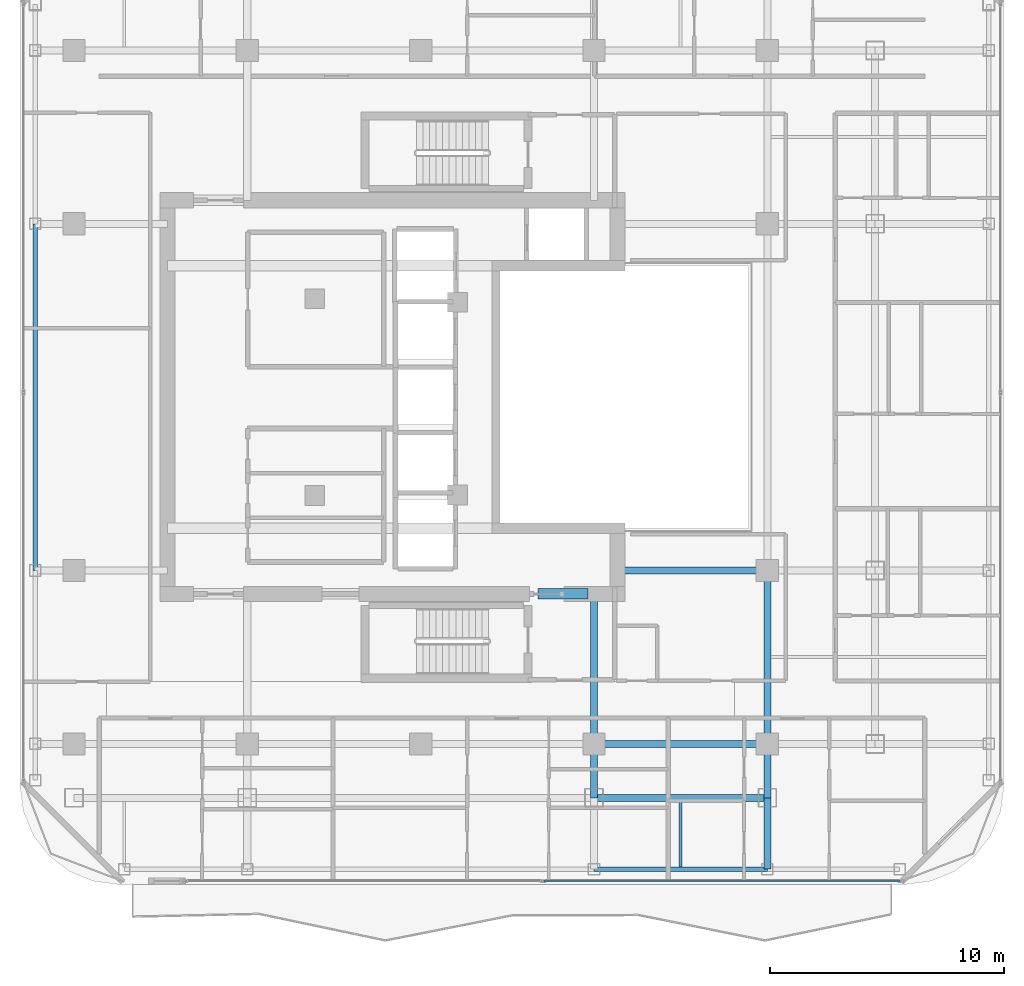
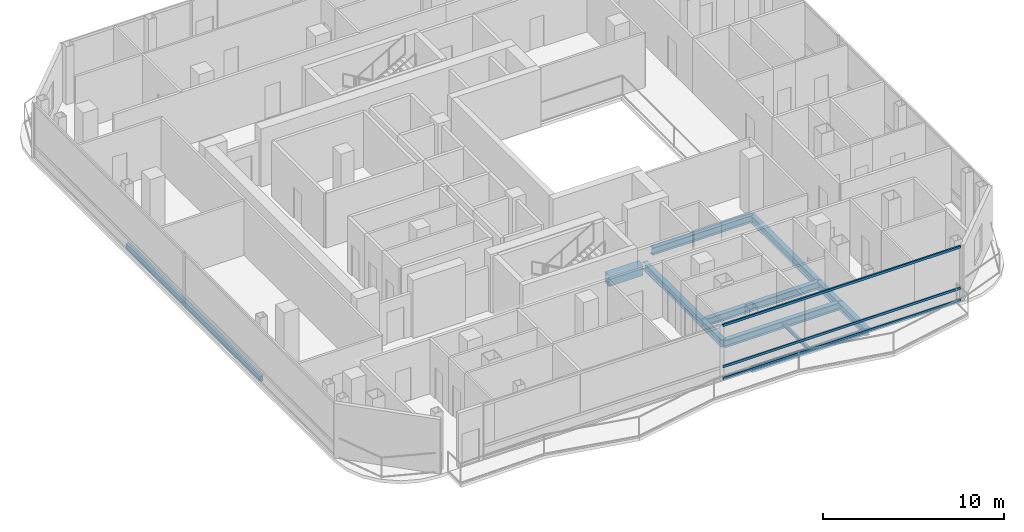
# One storey, part 5 of 24: 12 beams, 3 members, 1 element without a shape of its own.
"""IFC4 building model written with IfcOpenShell, lengths in metres."""

import ifcopenshell
import ifcopenshell.guid

model = None  # the IFC model being written
_history = None  # IfcOwnerHistory: only IFC2X3 demands one
_inside = {}  # id of a spatial element -> (the spatial element, [elements in it])
_under = {}  # id of a project, library or spatial element -> (it, [spatial elements below it])
_declared = {}  # id of a project -> (the project, [libraries it declares])
_typed = {}  # id of a type object -> (the type object, [elements of that type])
_made_of = {}  # id of a material, layer set ... -> (it, [elements and type objects made of it])


def new_model(schema):
    """Start an empty IFC model of exactly this schema.

    Asked for "IFC4X3", IfcOpenShell would pick the latest addendum, in which some entities
    have other attributes; the version numbers below select the first issue.
    IFC2X3 requires an IfcOwnerHistory on every rooted entity: one is made here for all.
    """
    global model, _history
    if schema == "IFC4X3":
        model = ifcopenshell.file(schema_version=(4, 3, 0, 0))
    else:
        model = ifcopenshell.file(schema=schema)
    _inside.clear()
    _under.clear()
    _declared.clear()
    _typed.clear()
    _made_of.clear()
    _history = None
    if model.schema == "IFC2X3":
        org = make("IfcOrganization", Name="unknown")
        user = make(
            "IfcPersonAndOrganization",
            ThePerson=make("IfcPerson", FamilyName="unknown"),
            TheOrganization=org,
        )
        app = make(
            "IfcApplication",
            ApplicationDeveloper=org,
            Version="unknown",
            ApplicationFullName="unknown",
            ApplicationIdentifier="unknown",
        )
        _history = make(
            "IfcOwnerHistory",
            OwningUser=user,
            OwningApplication=app,
            ChangeAction="ADDED",
            CreationDate=0,
        )
    return model


def make(cls, **values):
    """One entity of the class cls with the attributes given. An attribute that is None is left unset."""
    return model.create_entity(
        cls, **{name: value for name, value in values.items() if value is not None}
    )


def rooted(cls, **values):
    """An entity with a GlobalId (a new one), such as an element, a storey or a relation."""
    return make(cls, GlobalId=ifcopenshell.guid.new(), OwnerHistory=_history, **values)


def si_unit(unit_type, name, prefix=None):
    """IfcSIUnit, for example si_unit("LENGTHUNIT", "METRE", prefix="MILLI")."""
    return make("IfcSIUnit", UnitType=unit_type, Prefix=prefix, Name=name)


def assignment(units):
    """IfcUnitAssignment: the units of a project."""
    return None if units is None else make("IfcUnitAssignment", Units=units)


def point(xyz):
    """IfcCartesianPoint."""
    return None if xyz is None else make("IfcCartesianPoint", Coordinates=xyz)


def direction(xyz):
    """IfcDirection."""
    return None if xyz is None else make("IfcDirection", DirectionRatios=xyz)


def frame(location, z_axis=None, x_axis=None):
    """IfcAxis2Placement3D, a coordinate frame: its origin and axes. An axis left out is left unset."""
    return make(
        "IfcAxis2Placement3D",
        Location=point(location),
        Axis=direction(z_axis),
        RefDirection=direction(x_axis),
    )


def frame_2d(location, x_axis=None):
    """IfcAxis2Placement2D, a coordinate frame in the plane: its origin and x axis."""
    return make(
        "IfcAxis2Placement2D", Location=point(location), RefDirection=direction(x_axis)
    )


def origin():
    """The frame at (0, 0, 0) with its axes left unset."""
    return frame((0.0, 0.0, 0.0))


def origin_2d():
    """The frame at (0, 0) in the plane with its x axis left unset."""
    return frame_2d((0.0, 0.0))


def place(relative_to, where):
    """IfcLocalPlacement: puts the frame where relative to a parent placement (None: the world)."""
    return make(
        "IfcLocalPlacement", PlacementRelTo=relative_to, RelativePlacement=where
    )


def context(
    kind, dimensions, precision=None, world=None, true_north=None, identifier=None
):
    """IfcGeometricRepresentationContext, for example the 3D "Model" context."""
    return make(
        "IfcGeometricRepresentationContext",
        ContextIdentifier=identifier,
        ContextType=kind,
        CoordinateSpaceDimension=dimensions,
        Precision=precision,
        WorldCoordinateSystem=world,
        TrueNorth=true_north,
    )


def subcontext(parent, identifier, kind, view, scale=None):
    """IfcGeometricRepresentationSubContext, for example "Body" below "Model"."""
    return make(
        "IfcGeometricRepresentationSubContext",
        ContextIdentifier=identifier,
        ContextType=kind,
        ParentContext=parent,
        TargetScale=scale,
        TargetView=view,
    )


def project(units=None, contexts=None):
    """IfcProject with its units and contexts."""
    return rooted(
        "IfcProject",
        Name="project",
        RepresentationContexts=contexts,
        UnitsInContext=assignment(units),
    )


def spatial(cls, under=None, at=None, **own):
    """A site, building, storey or space (cls), placed at a placement, below another one or the project."""
    s = rooted(cls, ObjectPlacement=at, **own)
    if under is not None:
        _under.setdefault(under.id(), (under, []))[1].append(s)
    return s


def profile(cls, at=None, kind="AREA", **sizes):
    """A parametric profile (cls). Its sizes go by their IFC names, for example OverallWidth=200.0."""
    return make(cls, ProfileType=kind, Position=at, **sizes)


def rectangle(**sizes):
    """IfcRectangleProfileDef."""
    return profile("IfcRectangleProfileDef", **sizes)


def hollow_rectangle(**sizes):
    """IfcRectangleHollowProfileDef."""
    return profile("IfcRectangleHollowProfileDef", **sizes)


def i_section(**sizes):
    """IfcIShapeProfileDef."""
    return profile("IfcIShapeProfileDef", **sizes)


def extrude(swept, where, along, depth):
    """IfcExtrudedAreaSolid: the profile swept, set in the frame where, extruded along a direction by depth."""
    return make(
        "IfcExtrudedAreaSolid",
        SweptArea=swept,
        Position=where,
        ExtrudedDirection=direction(along),
        Depth=depth,
    )


def shape(context_of_items, identifier, shape_type, items):
    """IfcShapeRepresentation: the items that make up one representation, for example the "Body"."""
    return make(
        "IfcShapeRepresentation",
        ContextOfItems=context_of_items,
        RepresentationIdentifier=identifier,
        RepresentationType=shape_type,
        Items=items,
    )


def material(Name=None, Category=None):
    """IfcMaterial."""
    return make("IfcMaterial", Name=Name, Category=Category)


def layer(
    of_material, thickness, ventilated=None, Name=None, Category=None, Priority=None
):
    """IfcMaterialLayer: one layer of a wall or slab, of a material (None: an air gap)."""
    return make(
        "IfcMaterialLayer",
        Material=of_material,
        LayerThickness=thickness,
        IsVentilated=ventilated,
        Name=Name,
        Category=Category,
        Priority=Priority,
    )


def layer_set(layers, Name=None):
    """IfcMaterialLayerSet."""
    return make("IfcMaterialLayerSet", MaterialLayers=layers, LayerSetName=Name)


def material_profile(
    of_material, cross_section, Name=None, Category=None, Priority=None
):
    """IfcMaterialProfile: a cross section and its material."""
    return make(
        "IfcMaterialProfile",
        Name=Name,
        Material=of_material,
        Profile=cross_section,
        Priority=Priority,
        Category=Category,
    )


def profile_set(profiles, Name=None, composite=None):
    """IfcMaterialProfileSet."""
    return make(
        "IfcMaterialProfileSet",
        Name=Name,
        MaterialProfiles=profiles,
        CompositeProfile=composite,
    )


def made_of(thing, what):
    """Note that an element or type object is made of a material, layer set ...; save() writes the relation."""
    if what is not None:
        _made_of.setdefault(what.id(), (what, []))[1].append(thing)
    return thing


def type_object(cls, material=None, **own):
    """A type object (cls), such as IfcWallType, which elements share."""
    return made_of(rooted(cls, **own), material)


def element(
    cls,
    number,
    at=None,
    inside=None,
    cuts=None,
    type_object=None,
    material=None,
    context=None,
    identifier="Body",
    shape_type=None,
    held_by="IfcProductDefinitionShape",
    body=None,
    shapes=None,
    **own,
):
    """One element of the class cls, such as IfcWall. Its Tag is "e" and its number.

    at: its placement. inside: the storey or other place that contains it. cuts: it is an
    opening in that element (IfcRelVoidsElement). A single representation is given by context,
    identifier, shape_type and body (its items); several are given by shapes. held_by: the class
    of the entity that holds the representations. save() writes the other relations.
    """
    e = rooted(cls, Tag="e%d" % number, ObjectPlacement=at, **own)
    if body is not None:
        shapes = [shape(context, identifier, shape_type, body)]
    if shapes is not None:
        e.Representation = make(held_by, Representations=shapes)
    if inside is not None:
        _inside.setdefault(inside.id(), (inside, []))[1].append(e)
    if cuts is not None:
        rooted(
            "IfcRelVoidsElement", RelatingBuildingElement=cuts, RelatedOpeningElement=e
        )
    if type_object is not None:
        _typed.setdefault(type_object.id(), (type_object, []))[1].append(e)
    return made_of(e, material)


def aggregate(whole, parts):
    """IfcRelAggregates: a whole, such as a stair, and the parts it consists of."""
    return rooted("IfcRelAggregates", RelatingObject=whole, RelatedObjects=parts)


def save(model, path):
    """Write the relations noted so far, then the file.

    IfcRelAggregates (storeys below a building ...), IfcRelContainedInSpatialStructure (elements
    in a storey), IfcRelDefinesByType, IfcRelAssociatesMaterial and IfcRelDeclares: one each for
    every whole, place, type object, material and project.
    """
    for whole, parts in _under.values():
        aggregate(whole, parts)
    for where, things in _inside.values():
        rooted(
            "IfcRelContainedInSpatialStructure",
            RelatedElements=things,
            RelatingStructure=where,
        )
    for kind, things in _typed.values():
        rooted("IfcRelDefinesByType", RelatedObjects=things, RelatingType=kind)
    for what, things in _made_of.values():
        rooted("IfcRelAssociatesMaterial", RelatedObjects=things, RelatingMaterial=what)
    for by, libraries in _declared.values():
        rooted("IfcRelDeclares", RelatingContext=by, RelatedDefinitions=libraries)
    model.write(path)


model = new_model("IFC4")

# Units and contexts
model_context = context("Model", 3, precision=1e-05, world=origin(), true_north=direction((0.0, 1.0)))
body_context = subcontext(model_context, "Body", "Model", "MODEL_VIEW")
ifc_project = project(units=[si_unit("LENGTHUNIT", "METRE"), si_unit("AREAUNIT", "SQUARE_METRE"), si_unit("VOLUMEUNIT", "CUBIC_METRE"), si_unit("PLANEANGLEUNIT", "RADIAN"), si_unit("MASSUNIT", "GRAM", prefix="KILO")], contexts=[model_context])

# Site, building, storey
site_placement = place(None, origin())
site = spatial("IfcSite", under=ifc_project, at=site_placement, CompositionType="ELEMENT")
building_placement = place(site_placement, origin())
building = spatial("IfcBuilding", under=site, at=building_placement, Name="Khorvyn Point Tower", CompositionType="ELEMENT")
storey_placement = place(building_placement, frame((0.0, 0.0, 266.39990234375)))
storey = spatial("IfcBuildingStorey", under=building, at=storey_placement, Name="L65", CompositionType="ELEMENT", Elevation=266.39990234375)

# Curtain wall, members
ifc_material_1 = material(Name="Anodised aluminium 6063-T6 and laminated Low-E glass", Category="aluminium")
ifc_layer = layer(ifc_material_1, 0.18994140625)
ifc_layer_set = layer_set([ifc_layer], Name="Stick-Built High-Wind Curtain Wall CW-SYS-04")
curtain_wall_type = type_object("IfcCurtainWallType", Name="Stick-Built High-Wind Curtain Wall CW-SYS-04", PredefinedType="NOTDEFINED", material=ifc_layer_set)
curtain_wall_placement = place(storey_placement, origin())
curtain_wall = element("IfcCurtainWall", 1, at=curtain_wall_placement, inside=storey, type_object=curtain_wall_type, Name="Curtain Wall", PredefinedType="NOTDEFINED")
ifc_material_2 = material(Name="Anodised aluminium 6063-T6", Category="aluminium")
ifc_material_profile_1 = material_profile(ifc_material_2, hollow_rectangle(XDim=0.10009765625, YDim=0.159912109375, WallThickness=0.00439453125, at=origin_2d()))
ifc_profile_set_1 = profile_set([ifc_material_profile_1], Name="Anodised aluminium 6063-T6 ALU-TRN-100x160")
member_type = type_object("IfcMemberType", Name="Anodised Aluminium 6063-T6 Transom ALU-TRN-100x160", PredefinedType="USERDEFINED", material=ifc_profile_set_1)
member_1_placement = place(storey_placement, frame((20.449951171875, -20.64990234375, 0.050048828125), z_axis=(-1.0, 0.0, 0.0), x_axis=(0.0, -1.0, 0.0)))
member_1 = element("IfcMember", 2, at=member_1_placement, type_object=member_type, Name="Transom", ObjectType="TRANSOM", PredefinedType="USERDEFINED", context=body_context, shape_type="SweptSolid", body=[
    extrude(hollow_rectangle(XDim=0.10009765625, YDim=0.159912109375, WallThickness=0.00439453125, at=origin_2d()), origin(), (0.0, 0.0, 1.0), 15.179443359375),
])
member_2_placement = place(storey_placement, frame((20.449951171875, -20.64990234375, 0.85009765625), z_axis=(-1.0, 0.0, 0.0), x_axis=(0.0, -1.0, 0.0)))
member_2 = element("IfcMember", 3, at=member_2_placement, type_object=member_type, Name="Transom", ObjectType="TRANSOM", PredefinedType="USERDEFINED", context=body_context, shape_type="SweptSolid", body=[
    extrude(hollow_rectangle(XDim=0.10009765625, YDim=0.159912109375, WallThickness=0.00439453125, at=origin_2d()), origin(), (0.0, 0.0, 1.0), 15.179443359375),
])
member_3_placement = place(storey_placement, frame((20.449951171875, -20.64990234375, 3.630126953125), z_axis=(-1.0, 0.0, 0.0), x_axis=(0.0, -1.0, 0.0)))
member_3 = element("IfcMember", 4, at=member_3_placement, type_object=member_type, Name="Transom", ObjectType="TRANSOM", PredefinedType="USERDEFINED", context=body_context, shape_type="SweptSolid", body=[
    extrude(hollow_rectangle(XDim=0.10009765625, YDim=0.159912109375, WallThickness=0.00439453125, at=origin_2d()), origin(), (0.0, 0.0, 1.0), 15.179443359375),
])
aggregate(curtain_wall, [member_1, member_2, member_3])

# Beams
ifc_material_3 = material(Name="Concrete C40/50", Category="concrete")
ifc_material_profile_2 = material_profile(ifc_material_3, rectangle(XDim=0.449951171875, YDim=0.75, at=origin_2d()))
ifc_profile_set_2 = profile_set([ifc_material_profile_2], Name="Concrete C40/50 RC450x750")
beam_type_1 = type_object("IfcBeamType", Name="Concrete C40/50 Beam RC450x750", PredefinedType="BEAM", material=ifc_profile_set_2)
beam_1_placement = place(storey_placement, frame((5.0, -8.39990234375, -0.594970703125), z_axis=(1.0, 0.0, 0.0), x_axis=(0.0, 1.0, 0.0)))
element("IfcBeam", 5, at=beam_1_placement, inside=storey, type_object=beam_type_1, Name="L65 Core Southeast Portal Coupling Beam", PredefinedType="BEAM", context=body_context, shape_type="SweptSolid", body=[
    extrude(rectangle(XDim=0.449951171875, YDim=0.75, at=origin_2d()), origin(), (0.0, 0.0, 1.0), 2.14990234375),
])
ifc_material_4 = material(Name="Steel S355", Category="steel")
ifc_material_profile_3 = material_profile(ifc_material_4, i_section(OverallWidth=0.125, OverallDepth=0.25, WebThickness=0.006103515625, FlangeThickness=0.009033203125, at=origin_2d()))
ifc_profile_set_3 = profile_set([ifc_material_profile_3], Name="Steel S355 H250x125x6x9")
beam_type_2 = type_object("IfcBeamType", Name="Steel S355 Joist H250x125x6x9", PredefinedType="JOIST", material=ifc_profile_set_3)
beam_2_placement = place(storey_placement, frame((11.10009765625, -20.050048828125, -0.344970703125), z_axis=(0.0, 1.0, 0.0), x_axis=(-1.0, 0.0, 0.0)))
element("IfcBeam", 6, at=beam_2_placement, inside=storey, type_object=beam_type_2, Name="Beam", PredefinedType="JOIST", context=body_context, shape_type="SweptSolid", body=[
    extrude(i_section(OverallWidth=0.125, OverallDepth=0.25, WebThickness=0.006103515625, FlangeThickness=0.009033203125, at=origin_2d()), origin(), (0.0, 0.0, 1.0), 2.800048828125),
])
ifc_material_profile_4 = material_profile(ifc_material_4, i_section(OverallWidth=0.300048828125, OverallDepth=0.488037109375, WebThickness=0.010986328125, FlangeThickness=0.01806640625, at=origin_2d()))
ifc_profile_set_4 = profile_set([ifc_material_profile_4], Name="Steel S355 H488x300x11x18")
beam_type_3 = type_object("IfcBeamType", Name="Steel S355 Spandrel H488x300x11x18", PredefinedType="SPANDREL", material=ifc_profile_set_4)
beam_3_placement = place(storey_placement, frame((7.39990234375, -14.800048828125, -0.4638671875), z_axis=(1.0, 0.0, 0.0), x_axis=(0.0, 1.0, 0.0)))
element("IfcBeam", 7, at=beam_3_placement, inside=storey, type_object=beam_type_3, Name="Beam", PredefinedType="SPANDREL", context=body_context, shape_type="SweptSolid", body=[
    extrude(i_section(OverallWidth=0.300048828125, OverallDepth=0.488037109375, WebThickness=0.010986328125, FlangeThickness=0.01806640625, at=origin_2d()), origin(), (0.0, 0.0, 1.0), 7.400146484375),
])
beam_4_placement = place(storey_placement, frame((8.39990234375, -7.39990234375, -0.4638671875), z_axis=(1.0, 0.0, 0.0), x_axis=(0.0, 1.0, 0.0)))
element("IfcBeam", 8, at=beam_4_placement, inside=storey, type_object=beam_type_3, Name="Beam", PredefinedType="SPANDREL", context=body_context, shape_type="SweptSolid", body=[
    extrude(i_section(OverallWidth=0.300048828125, OverallDepth=0.488037109375, WebThickness=0.010986328125, FlangeThickness=0.01806640625, at=origin_2d()), origin(), (0.0, 0.0, 1.0), 6.400146484375),
])
beam_5_placement = place(storey_placement, frame((7.39990234375, -17.10009765625, -0.4638671875), z_axis=(1.0, 0.0, 0.0), x_axis=(0.0, 1.0, 0.0)))
element("IfcBeam", 9, at=beam_5_placement, inside=storey, type_object=beam_type_3, Name="Beam", PredefinedType="SPANDREL", context=body_context, shape_type="SweptSolid", body=[
    extrude(i_section(OverallWidth=0.300048828125, OverallDepth=0.488037109375, WebThickness=0.010986328125, FlangeThickness=0.01806640625, at=origin_2d()), origin(), (0.0, 0.0, 1.0), 7.400146484375),
])
beam_6_placement = place(storey_placement, frame((14.800048828125, -20.14990234375, -0.4638671875), z_axis=(0.0, 1.0, 0.0), x_axis=(-1.0, 0.0, 0.0)))
element("IfcBeam", 10, at=beam_6_placement, inside=storey, type_object=beam_type_3, Name="Beam", PredefinedType="SPANDREL", context=body_context, shape_type="SweptSolid", body=[
    extrude(i_section(OverallWidth=0.300048828125, OverallDepth=0.488037109375, WebThickness=0.010986328125, FlangeThickness=0.01806640625, at=origin_2d()), origin(), (0.0, 0.0, 1.0), 3.0498046875),
])
beam_7_placement = place(storey_placement, frame((14.800048828125, -17.10009765625, -0.4638671875), z_axis=(0.0, 1.0, 0.0), x_axis=(-1.0, 0.0, 0.0)))
element("IfcBeam", 11, at=beam_7_placement, inside=storey, type_object=beam_type_3, Name="Beam", PredefinedType="SPANDREL", context=body_context, shape_type="SweptSolid", body=[
    extrude(i_section(OverallWidth=0.300048828125, OverallDepth=0.488037109375, WebThickness=0.010986328125, FlangeThickness=0.01806640625, at=origin_2d()), origin(), (0.0, 0.0, 1.0), 2.300048828125),
])
beam_8_placement = place(storey_placement, frame((14.800048828125, -14.800048828125, -0.4638671875), z_axis=(0.0, 1.0, 0.0), x_axis=(-1.0, 0.0, 0.0)))
element("IfcBeam", 12, at=beam_8_placement, inside=storey, type_object=beam_type_3, Name="Beam", PredefinedType="SPANDREL", context=body_context, shape_type="SweptSolid", body=[
    extrude(i_section(OverallWidth=0.300048828125, OverallDepth=0.488037109375, WebThickness=0.010986328125, FlangeThickness=0.01806640625, at=origin_2d()), origin(), (0.0, 0.0, 1.0), 7.400146484375),
])
beam_9_placement = place(storey_placement, frame((7.39990234375, -17.10009765625, -0.4638671875), z_axis=(0.0, 1.0, 0.0), x_axis=(-1.0, 0.0, 0.0)))
element("IfcBeam", 13, at=beam_9_placement, inside=storey, type_object=beam_type_3, Name="Beam", PredefinedType="SPANDREL", context=body_context, shape_type="SweptSolid", body=[
    extrude(i_section(OverallWidth=0.300048828125, OverallDepth=0.488037109375, WebThickness=0.010986328125, FlangeThickness=0.01806640625, at=origin_2d()), origin(), (0.0, 0.0, 1.0), 2.300048828125),
])
beam_10_placement = place(storey_placement, frame((7.39990234375, -14.800048828125, -0.4638671875), z_axis=(0.0, 1.0, 0.0), x_axis=(-1.0, 0.0, 0.0)))
element("IfcBeam", 14, at=beam_10_placement, inside=storey, type_object=beam_type_3, Name="Beam", PredefinedType="SPANDREL", context=body_context, shape_type="SweptSolid", body=[
    extrude(i_section(OverallWidth=0.300048828125, OverallDepth=0.488037109375, WebThickness=0.010986328125, FlangeThickness=0.01806640625, at=origin_2d()), origin(), (0.0, 0.0, 1.0), 6.400146484375),
])
ifc_material_profile_5 = material_profile(ifc_material_4, hollow_rectangle(XDim=0.199951171875, YDim=0.35009765625, WallThickness=0.013916015625, at=origin_2d()))
ifc_profile_set_5 = profile_set([ifc_material_profile_5], Name="Steel S355 RHS350x200x14")
beam_type_4 = type_object("IfcBeamType", Name="Steel S355 Spandrel RHS350x200x14", PredefinedType="SPANDREL", material=ifc_profile_set_5)
beam_11_placement = place(storey_placement, frame((7.39990234375, -20.14990234375, -0.39501953125), z_axis=(1.0, 0.0, 0.0), x_axis=(0.0, 1.0, 0.0)))
element("IfcBeam", 15, at=beam_11_placement, inside=storey, type_object=beam_type_4, Name="Beam", PredefinedType="SPANDREL", context=body_context, shape_type="SweptSolid", body=[
    extrude(hollow_rectangle(XDim=0.199951171875, YDim=0.35009765625, WallThickness=0.013916015625, at=origin_2d()), origin(), (0.0, 0.0, 1.0), 7.400146484375),
])
beam_12_placement = place(storey_placement, frame((-16.449951171875, -7.39990234375, -0.39501953125), z_axis=(0.0, 1.0, 0.0), x_axis=(-1.0, 0.0, 0.0)))
element("IfcBeam", 16, at=beam_12_placement, inside=storey, type_object=beam_type_4, Name="Beam", PredefinedType="SPANDREL", context=body_context, shape_type="SweptSolid", body=[
    extrude(hollow_rectangle(XDim=0.199951171875, YDim=0.35009765625, WallThickness=0.013916015625, at=origin_2d()), origin(), (0.0, 0.0, 1.0), 14.7998046875),
])

save(model, "model.ifc")
